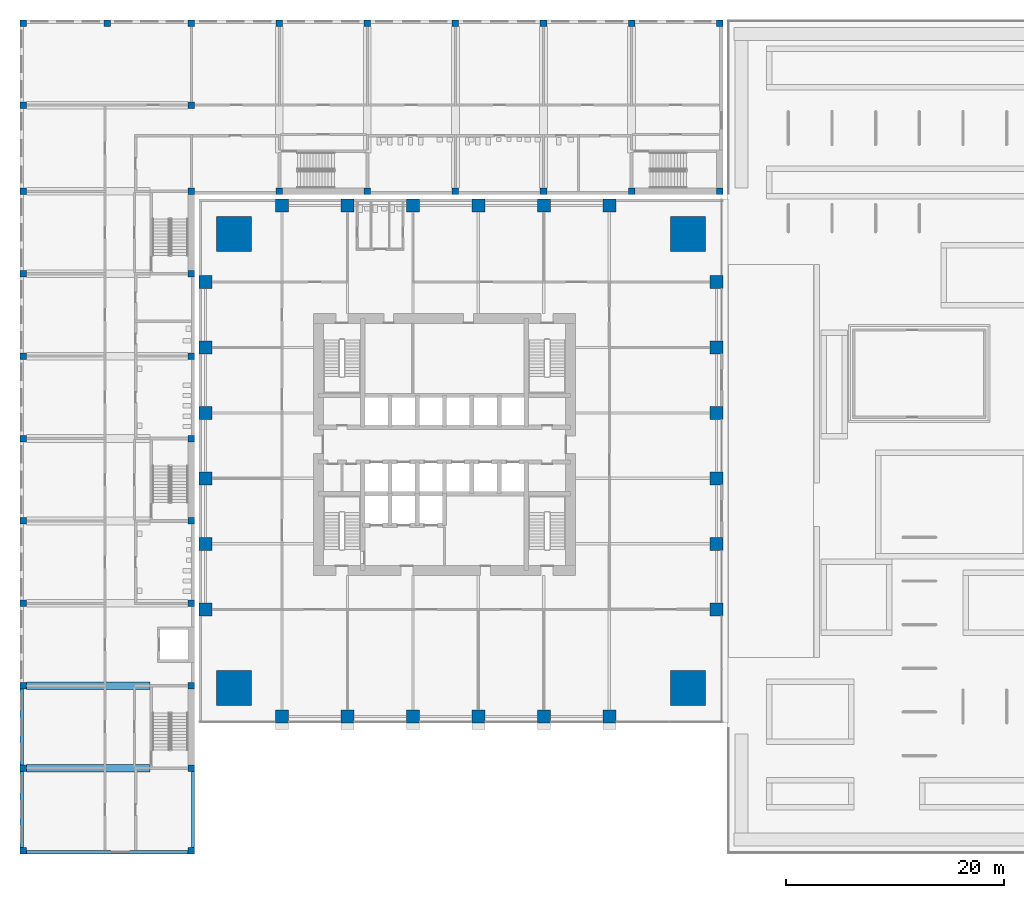
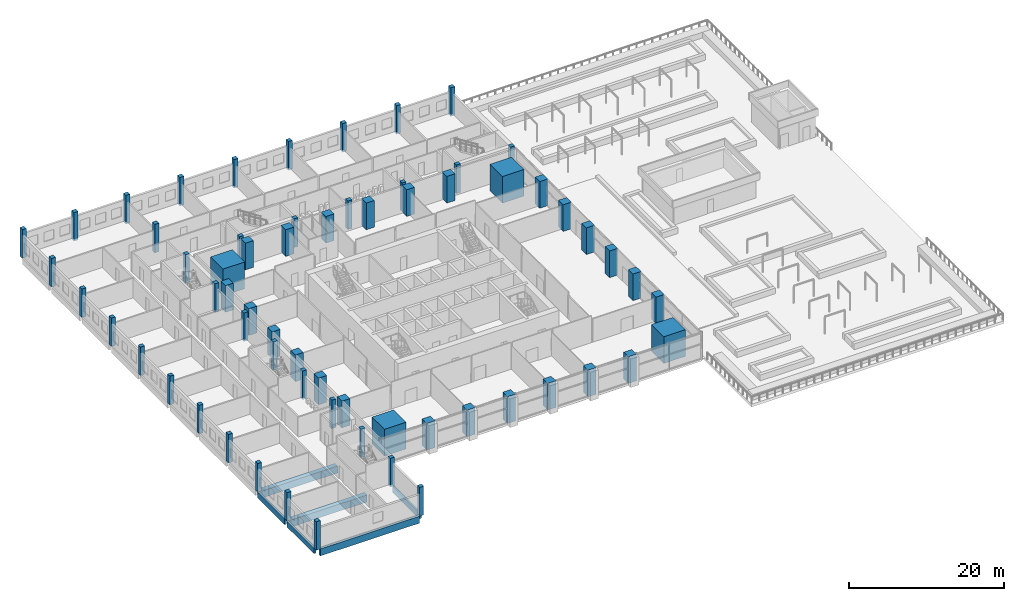
# One storey, part 1 of 34: 63 columns, 6 beams.
"""IFC4 building model written with IfcOpenShell, lengths in metres."""

from ifc_helpers import new_model, si_unit, direction, frame, origin, origin_2d, place, context, subcontext, project, spatial, rectangle, extrude, material, material_profile, profile_set, type_object, element, save


model = new_model("IFC4")

# Units and contexts
model_context = context("Model", 3, precision=1e-05, world=origin(), true_north=direction((0.0, 1.0)))
body_context = subcontext(model_context, "Body", "Model", "MODEL_VIEW")
ifc_project = project(units=[si_unit("LENGTHUNIT", "METRE"), si_unit("AREAUNIT", "SQUARE_METRE"), si_unit("VOLUMEUNIT", "CUBIC_METRE"), si_unit("PLANEANGLEUNIT", "RADIAN"), si_unit("MASSUNIT", "GRAM", prefix="KILO")], contexts=[model_context])

# Site, building, storey
site_placement = place(None, origin())
site = spatial("IfcSite", under=ifc_project, at=site_placement, CompositionType="ELEMENT")
building_placement = place(site_placement, origin())
building = spatial("IfcBuilding", under=site, at=building_placement, Name="Amberfall Residences", CompositionType="ELEMENT")
storey_placement = place(building_placement, frame((0.0, 0.0, 5.5)))
storey = spatial("IfcBuildingStorey", under=building, at=storey_placement, Name="L01", CompositionType="ELEMENT", Elevation=5.5)

# Columns
ifc_material_1 = material(Name="Concrete C80", Category="concrete")
ifc_material_profile_1 = material_profile(ifc_material_1, rectangle(XDim=1.199951171875, YDim=1.199951171875, at=origin_2d()), Name="Column 1200 x 1200 C80")
ifc_profile_set_1 = profile_set([ifc_material_profile_1], Name="Concrete C80")
column_type_1 = type_object("IfcColumnType", Name="Column 1200 x 1200 C80", PredefinedType="COLUMN", material=ifc_profile_set_1)
for number, where, z_axis, x_axis, name in (
    (1, (59.60009765625, 20.60009765625, 0.0), (0.0, 0.0, 1.0), (1.0, 0.0, 0.0), "Column C1 L01 S1"),
    (2, (65.60009765625, 20.60009765625, 0.0), (0.0, 0.0, 1.0), (1.0, 0.0, 0.0), "Column C1 L01 S2"),
    (3, (71.60009765625, 20.60009765625, 0.0), (0.0, 0.0, 1.0), (1.0, 0.0, 0.0), "Column C1 L01 S3"),
    (4, (77.60009765625, 20.60009765625, 0.0), (0.0, 0.0, 1.0), (1.0, 0.0, 0.0), "Column C1 L01 S4"),
    (5, (83.60009765625, 20.60009765625, 0.0), (0.0, 0.0, 1.0), (1.0, 0.0, 0.0), "Column C1 L01 S5"),
    (6, (89.60009765625, 20.60009765625, 0.0), (0.0, 0.0, 1.0), (1.0, 0.0, 0.0), "Column C1 L01 S6"),
    (7, (99.39990234375, 30.39990234375, 0.0), (0.0, 0.0, 1.0), (1.0, 0.0, 0.0), "Column C1 L01 E1"),
    (8, (99.39990234375, 36.39990234375, 0.0), (0.0, 0.0, 1.0), (1.0, 0.0, 0.0), "Column C1 L01 E2"),
    (9, (99.39990234375, 42.39990234375, 0.0), (0.0, 0.0, 1.0), (1.0, 0.0, 0.0), "Column C1 L01 E3"),
    (10, (99.39990234375, 48.39990234375, 0.0), (0.0, 0.0, 1.0), (1.0, 0.0, 0.0), "Column C1 L01 E4"),
    (11, (99.39990234375, 54.39990234375, 0.0), (0.0, 0.0, 1.0), (1.0, 0.0, 0.0), "Column C1 L01 E5"),
    (12, (99.39990234375, 60.39990234375, 0.0), (0.0, 0.0, 1.0), (1.0, 0.0, 0.0), "Column C1 L01 E6"),
    (13, (59.60009765625, 67.39990234375, 0.0), (0.0, 0.0, 1.0), (1.0, 0.0, 0.0), "Column C1 L01 N1"),
    (14, (65.60009765625, 67.39990234375, 0.0), (0.0, 0.0, 1.0), (1.0, 0.0, 0.0), "Column C1 L01 N2"),
    (15, (71.60009765625, 67.39990234375, 0.0), (0.0, 0.0, 1.0), (1.0, 0.0, 0.0), "Column C1 L01 N3"),
    (16, (77.60009765625, 67.39990234375, 0.0), (0.0, 0.0, 1.0), (1.0, 0.0, 0.0), "Column C1 L01 N4"),
    (17, (83.60009765625, 67.39990234375, 0.0), (0.0, 0.0, 1.0), (1.0, 0.0, 0.0), "Column C1 L01 N5"),
    (18, (89.60009765625, 67.39990234375, 0.0), (0.0, 0.0, 1.0), (1.0, 0.0, 0.0), "Column C1 L01 N6"),
    (19, (52.60009765625, 30.39990234375, 0.0), (0.0, 0.0, 1.0), (1.0, 0.0, 0.0), "Column C1 L01 W1"),
    (20, (52.60009765625, 36.39990234375, 0.0), (0.0, 0.0, 1.0), (1.0, 0.0, 0.0), "Column C1 L01 W2"),
    (21, (52.60009765625, 42.39990234375, 0.0), (0.0, 0.0, 1.0), (1.0, 0.0, 0.0), "Column C1 L01 W3"),
    (22, (52.60009765625, 48.39990234375, 0.0), (0.0, 0.0, 1.0), (1.0, 0.0, 0.0), "Column C1 L01 W4"),
    (23, (52.60009765625, 54.39990234375, 0.0), (0.0, 0.0, 1.0), (1.0, 0.0, 0.0), "Column C1 L01 W5"),
    (24, (52.60009765625, 60.39990234375, 0.0), (0.0, 0.0, 1.0), (1.0, 0.0, 0.0), "Column C1 L01 W6"),
):
    element("IfcColumn", number, at=place(storey_placement, frame(where, z_axis=z_axis, x_axis=x_axis)), inside=storey, type_object=column_type_1, Name=name, PredefinedType="COLUMN", context=body_context, shape_type="SweptSolid", body=[
        extrude(rectangle(XDim=1.199951171875, YDim=1.199951171875, at=origin_2d()), origin(), (0.0, 0.0, 1.0), 4.199951171875),
    ])
ifc_material_profile_2 = material_profile(ifc_material_1, rectangle(XDim=3.199951171875, YDim=3.199951171875, at=origin_2d()), Name="Mega column 3200 x 3200 C80")
ifc_profile_set_2 = profile_set([ifc_material_profile_2], Name="Concrete C80")
column_type_2 = type_object("IfcColumnType", Name="Mega column 3200 x 3200 C80", PredefinedType="COLUMN", material=ifc_profile_set_2)
for number, where, z_axis, x_axis, name in (
    (25, (55.199951171875, 23.199951171875, 0.0), (0.0, 0.0, 1.0), (1.0, 0.0, 0.0), "Mega column MC1 L01 SW"),
    (26, (96.800048828125, 23.199951171875, 0.0), (0.0, 0.0, 1.0), (1.0, 0.0, 0.0), "Mega column MC1 L01 SE"),
    (27, (96.800048828125, 64.800048828125, 0.0), (0.0, 0.0, 1.0), (1.0, 0.0, 0.0), "Mega column MC1 L01 NE"),
    (28, (55.199951171875, 64.800048828125, 0.0), (0.0, 0.0, 1.0), (1.0, 0.0, 0.0), "Mega column MC1 L01 NW"),
):
    element("IfcColumn", number, at=place(storey_placement, frame(where, z_axis=z_axis, x_axis=x_axis)), inside=storey, type_object=column_type_2, Name=name, PredefinedType="COLUMN", context=body_context, shape_type="SweptSolid", body=[
        extrude(rectangle(XDim=3.199951171875, YDim=3.199951171875, at=origin_2d()), origin(), (0.0, 0.0, 1.0), 4.199951171875),
    ])
ifc_material_2 = material(Name="Concrete C50", Category="concrete")
ifc_material_profile_3 = material_profile(ifc_material_2, rectangle(XDim=0.60009765625, YDim=0.60009765625, at=origin_2d()), Name="School column 600 x 600 C50")
ifc_profile_set_3 = profile_set([ifc_material_profile_3], Name="Concrete C50")
column_type_3 = type_object("IfcColumnType", Name="School column 600 x 600 C50", PredefinedType="COLUMN", material=ifc_profile_set_3)
for number, where, z_axis, x_axis, name in (
    (29, (35.89990234375, 8.300048828125, -0.300048828125), (0.0, 0.0, 1.0), (1.0, 0.0, 0.0), "School column L01 01"),
    (30, (51.300048828125, 8.300048828125, -0.300048828125), (0.0, 0.0, 1.0), (1.0, 0.0, 0.0), "School column L01 02"),
    (31, (35.89990234375, 15.85009765625, -0.300048828125), (0.0, 0.0, 1.0), (1.0, 0.0, 0.0), "School column L01 03"),
    (32, (51.300048828125, 15.85009765625, -0.300048828125), (0.0, 0.0, 1.0), (1.0, 0.0, 0.0), "School column L01 04"),
    (33, (35.89990234375, 23.39990234375, -0.300048828125), (0.0, 0.0, 1.0), (1.0, 0.0, 0.0), "School column L01 05"),
    (34, (51.300048828125, 23.39990234375, -0.300048828125), (0.0, 0.0, 1.0), (1.0, 0.0, 0.0), "School column L01 06"),
    (35, (35.89990234375, 30.949951171875, -0.300048828125), (0.0, 0.0, 1.0), (1.0, 0.0, 0.0), "School column L01 07"),
    (36, (51.300048828125, 30.949951171875, -0.300048828125), (0.0, 0.0, 1.0), (1.0, 0.0, 0.0), "School column L01 08"),
    (37, (35.89990234375, 38.5, -0.300048828125), (0.0, 0.0, 1.0), (1.0, 0.0, 0.0), "School column L01 09"),
    (38, (51.300048828125, 38.5, -0.300048828125), (0.0, 0.0, 1.0), (1.0, 0.0, 0.0), "School column L01 10"),
    (39, (35.89990234375, 46.050048828125, -0.300048828125), (0.0, 0.0, 1.0), (1.0, 0.0, 0.0), "School column L01 11"),
    (40, (51.300048828125, 46.050048828125, -0.300048828125), (0.0, 0.0, 1.0), (1.0, 0.0, 0.0), "School column L01 12"),
    (41, (35.89990234375, 53.60009765625, -0.300048828125), (0.0, 0.0, 1.0), (1.0, 0.0, 0.0), "School column L01 13"),
    (42, (51.300048828125, 53.60009765625, -0.300048828125), (0.0, 0.0, 1.0), (1.0, 0.0, 0.0), "School column L01 14"),
    (43, (35.89990234375, 61.14990234375, -0.300048828125), (0.0, 0.0, 1.0), (1.0, 0.0, 0.0), "School column L01 15"),
    (44, (51.300048828125, 61.14990234375, -0.300048828125), (0.0, 0.0, 1.0), (1.0, 0.0, 0.0), "School column L01 16"),
    (45, (35.89990234375, 68.699951171875, -0.300048828125), (0.0, 0.0, 1.0), (1.0, 0.0, 0.0), "School column L01 17"),
    (46, (51.300048828125, 68.699951171875, -0.300048828125), (0.0, 0.0, 1.0), (1.0, 0.0, 0.0), "School column L01 18"),
    (47, (35.89990234375, 76.60009765625, -0.300048828125), (0.0, 0.0, 1.0), (1.0, 0.0, 0.0), "School column L01 19"),
    (48, (51.300048828125, 76.60009765625, -0.300048828125), (0.0, 0.0, 1.0), (1.0, 0.0, 0.0), "School column L01 20"),
    (49, (35.89990234375, 84.10009765625, -0.300048828125), (0.0, 0.0, 1.0), (1.0, 0.0, 0.0), "School column L01 21"),
    (50, (51.300048828125, 84.10009765625, -0.300048828125), (0.0, 0.0, 1.0), (1.0, 0.0, 0.0), "School column L01 22"),
    (51, (43.60009765625, 84.10009765625, -0.300048828125), (0.0, 0.0, 1.0), (1.0, 0.0, 0.0), "School column L01 23"),
    (52, (59.366943359375, 84.10009765625, -0.300048828125), (0.0, 0.0, 1.0), (1.0, 0.0, 0.0), "School column L01 24"),
    (53, (59.366943359375, 68.699951171875, -0.300048828125), (0.0, 0.0, 1.0), (1.0, 0.0, 0.0), "School column L01 25"),
    (54, (67.43310546875, 84.10009765625, -0.300048828125), (0.0, 0.0, 1.0), (1.0, 0.0, 0.0), "School column L01 26"),
    (55, (67.43310546875, 68.699951171875, -0.300048828125), (0.0, 0.0, 1.0), (1.0, 0.0, 0.0), "School column L01 27"),
    (56, (75.5, 84.10009765625, -0.300048828125), (0.0, 0.0, 1.0), (1.0, 0.0, 0.0), "School column L01 28"),
    (57, (75.5, 68.699951171875, -0.300048828125), (0.0, 0.0, 1.0), (1.0, 0.0, 0.0), "School column L01 29"),
    (58, (83.56689453125, 84.10009765625, -0.300048828125), (0.0, 0.0, 1.0), (1.0, 0.0, 0.0), "School column L01 30"),
    (59, (83.56689453125, 68.699951171875, -0.300048828125), (0.0, 0.0, 1.0), (1.0, 0.0, 0.0), "School column L01 31"),
    (60, (91.633056640625, 84.10009765625, -0.300048828125), (0.0, 0.0, 1.0), (1.0, 0.0, 0.0), "School column L01 32"),
    (61, (91.633056640625, 68.699951171875, -0.300048828125), (0.0, 0.0, 1.0), (1.0, 0.0, 0.0), "School column L01 33"),
    (62, (99.699951171875, 84.10009765625, -0.300048828125), (0.0, 0.0, 1.0), (1.0, 0.0, 0.0), "School column L01 34"),
    (63, (99.699951171875, 68.699951171875, -0.300048828125), (0.0, 0.0, 1.0), (1.0, 0.0, 0.0), "School column L01 35"),
):
    element("IfcColumn", number, at=place(storey_placement, frame(where, z_axis=z_axis, x_axis=x_axis)), inside=storey, type_object=column_type_3, Name=name, PredefinedType="COLUMN", context=body_context, shape_type="SweptSolid", body=[
        extrude(rectangle(XDim=0.60009765625, YDim=0.60009765625, at=origin_2d()), origin(), (0.0, 0.0, 1.0), 4.5),
    ])

# Beams
ifc_material_3 = material(Name="Concrete C40", Category="concrete")
ifc_material_profile_4 = material_profile(ifc_material_3, rectangle(XDim=0.699951171875, YDim=1.10009765625, at=origin_2d()), Name="School beam 700 x 1100 C40")
ifc_profile_set_4 = profile_set([ifc_material_profile_4], Name="Concrete C40")
beam_type_1 = type_object("IfcBeamType", Name="School beam 700 x 1100 C40", PredefinedType="BEAM", material=ifc_profile_set_4)
for number, where, z_axis, x_axis, name in (
    (64, (36.199951171875, 15.85009765625, -0.85009765625), (1.0, 0.0, 0.0), (0.0, 1.0, 0.0), "TW1"),
    (65, (36.199951171875, 23.39990234375, -0.85009765625), (1.0, 0.0, 0.0), (0.0, 1.0, 0.0), "TW2"),
):
    element("IfcBeam", number, at=place(storey_placement, frame(where, z_axis=z_axis, x_axis=x_axis)), inside=storey, type_object=beam_type_1, Name=name, PredefinedType="BEAM", context=body_context, shape_type="SweptSolid", body=[
        extrude(rectangle(XDim=0.699951171875, YDim=1.10009765625, at=origin_2d()), origin(), (0.0, 0.0, 1.0), 11.300048828125),
    ])
ifc_material_profile_5 = material_profile(ifc_material_3, rectangle(XDim=0.300048828125, YDim=0.89990234375, at=origin_2d()), Name="School edge beam 300 x 900 C40")
ifc_profile_set_5 = profile_set([ifc_material_profile_5], Name="Concrete C40")
beam_type_2 = type_object("IfcBeamType", Name="School edge beam 300 x 900 C40", PredefinedType="BEAM", material=ifc_profile_set_5)
beam_1_placement = place(storey_placement, frame((35.75, 8.60009765625, -0.75), z_axis=(0.0, 1.0, 0.0), x_axis=(-1.0, 0.0, 0.0)))
element("IfcBeam", 66, at=beam_1_placement, inside=storey, type_object=beam_type_2, Name="GW0", PredefinedType="BEAM", context=body_context, shape_type="SweptSolid", body=[
    extrude(rectangle(XDim=0.300048828125, YDim=0.89990234375, at=origin_2d()), origin(), (0.0, 0.0, 1.0), 6.949951171875),
])
beam_2_placement = place(storey_placement, frame((35.75, 16.14990234375, -0.75), z_axis=(0.0, 1.0, 0.0), x_axis=(-1.0, 0.0, 0.0)))
element("IfcBeam", 67, at=beam_2_placement, inside=storey, type_object=beam_type_2, Name="GW1", PredefinedType="BEAM", context=body_context, shape_type="SweptSolid", body=[
    extrude(rectangle(XDim=0.300048828125, YDim=0.89990234375, at=origin_2d()), origin(), (0.0, 0.0, 1.0), 6.9501953125),
])
beam_3_placement = place(storey_placement, frame((51.449951171875, 8.60009765625, -0.75), z_axis=(0.0, 1.0, 0.0), x_axis=(-1.0, 0.0, 0.0)))
element("IfcBeam", 68, at=beam_3_placement, inside=storey, type_object=beam_type_2, Name="GE0", PredefinedType="BEAM", context=body_context, shape_type="SweptSolid", body=[
    extrude(rectangle(XDim=0.300048828125, YDim=0.89990234375, at=origin_2d()), origin(), (0.0, 0.0, 1.0), 6.949951171875),
])
ifc_material_profile_6 = material_profile(ifc_material_3, rectangle(XDim=0.300048828125, YDim=1.10009765625, at=origin_2d()), Name="School end beam 300 x 1100 C40")
ifc_profile_set_6 = profile_set([ifc_material_profile_6], Name="Concrete C40")
beam_type_3 = type_object("IfcBeamType", Name="School end beam 300 x 1100 C40", PredefinedType="BEAM", material=ifc_profile_set_6)
beam_4_placement = place(storey_placement, frame((36.199951171875, 8.14990234375, -0.85009765625), z_axis=(1.0, 0.0, 0.0), x_axis=(0.0, 1.0, 0.0)))
element("IfcBeam", 69, at=beam_4_placement, inside=storey, type_object=beam_type_3, Name="ES", PredefinedType="BEAM", context=body_context, shape_type="SweptSolid", body=[
    extrude(rectangle(XDim=0.300048828125, YDim=1.10009765625, at=origin_2d()), origin(), (0.0, 0.0, 1.0), 14.800048828125),
])

save(model, "model.ifc")
